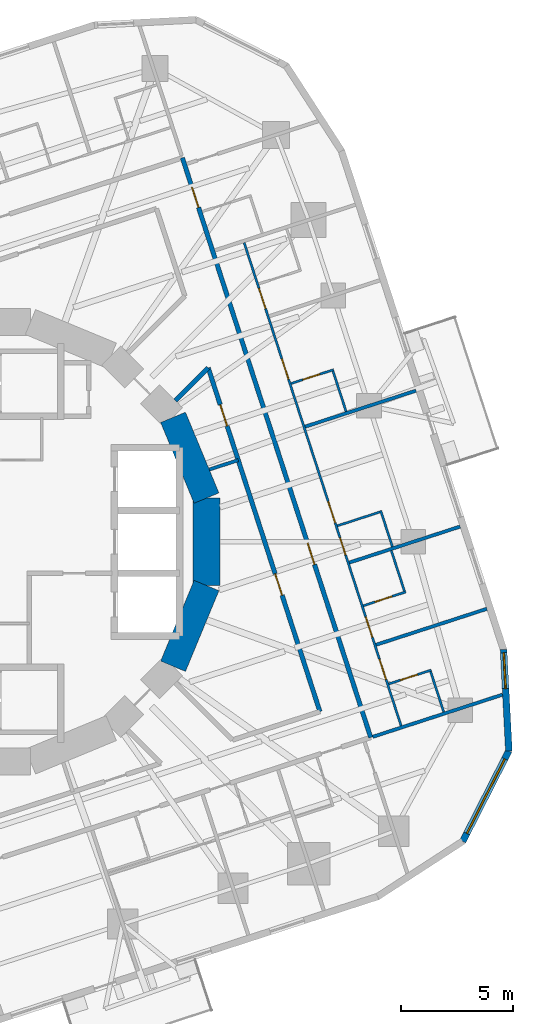
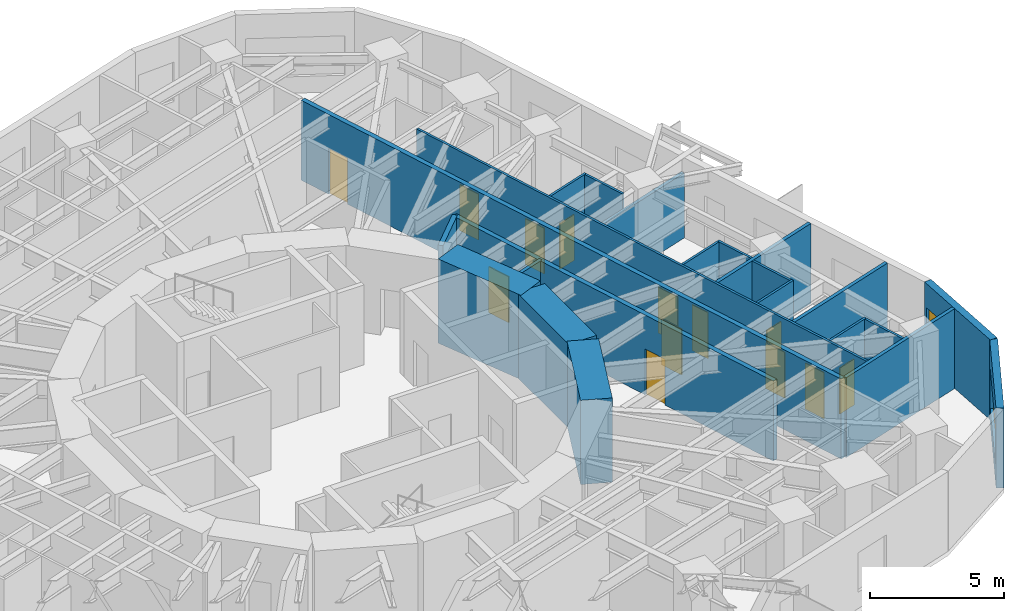
# One storey, part 8 of 13: 22 walls, 13 doors, 2 windows, 15 openings.
"""IFC4 building model written with IfcOpenShell, lengths in metres."""

from ifc_helpers import new_model, si_unit, direction, frame, frame_2d, origin, place, context, subcontext, project, spatial, rectangle, extrude, material, layer, layer_set, type_object, element, fill, save


model = new_model("IFC4")

# Units and contexts
model_context = context("Model", 3, precision=1e-05, world=origin(), true_north=direction((0.0, 1.0)))
body_context = subcontext(model_context, "Body", "Model", "MODEL_VIEW")
ifc_project = project(units=[si_unit("LENGTHUNIT", "METRE"), si_unit("AREAUNIT", "SQUARE_METRE"), si_unit("VOLUMEUNIT", "CUBIC_METRE"), si_unit("PLANEANGLEUNIT", "RADIAN"), si_unit("MASSUNIT", "GRAM", prefix="KILO")], contexts=[model_context])

# Site, building, storey
site_placement = place(None, origin())
site = spatial("IfcSite", under=ifc_project, at=site_placement, CompositionType="ELEMENT")
building_placement = place(site_placement, origin())
building = spatial("IfcBuilding", under=site, at=building_placement, Name="Nakasero Lantern House", CompositionType="ELEMENT")
storey_placement = place(building_placement, frame((0.0, 0.0, 161.050048828125)))
storey = spatial("IfcBuildingStorey", under=building, at=storey_placement, Name="L39", CompositionType="ELEMENT", Elevation=161.050048828125)

# Wall, openings, doors
ifc_material_1 = material(Name="Blockwork", Category="masonry")
ifc_layer_1 = layer(ifc_material_1, 0.10009765625)
ifc_layer_set_1 = layer_set([ifc_layer_1], Name="Cluster hall wall 100")
wall_type_1 = type_object("IfcWallType", Name="Cluster hall wall 100", PredefinedType="PARTITIONING", material=ifc_layer_set_1)
wall_1_placement = place(storey_placement, frame((18.492919921875, -8.21240234375, 0.0), z_axis=(0.0, 0.0, 1.0), x_axis=(-0.309014729931, 0.951057252055, 0.0)))
wall_1 = element("IfcWall", 1, at=wall_1_placement, inside=storey, type_object=wall_type_1, Name="Cluster hall wall L39 HW0-0", PredefinedType="PARTITIONING", context=body_context, shape_type="SweptSolid", body=[
    extrude(rectangle(XDim=22.67236328125, YDim=0.10009765625, at=frame_2d((11.336181640625, 0.0))), origin(), (0.0, 0.0, 1.0), 3.64990234375),
])
opening_1_placement = place(wall_1_placement, frame((9.532958984375, 0.0, 0.0)))
opening_1 = element("IfcOpeningElement", 2, at=opening_1_placement, cuts=wall_1, Name="Opening D03", PredefinedType="OPENING", context=body_context, shape_type="SweptSolid", body=[
    extrude(rectangle(XDim=1.0, YDim=2.10009765625, at=frame_2d((0.5, 1.050048828125))), frame((0.0, 0.070068359375, 0.0), z_axis=(0.0, -1.0, 0.0), x_axis=(1.0, 0.0, 0.0)), (0.0, 0.0, 1.0), 0.14013671875),
])
opening_2_placement = place(wall_1_placement, frame((8.01904296875, 0.0, 0.0)))
opening_2 = element("IfcOpeningElement", 3, at=opening_2_placement, cuts=wall_1, Name="Opening D02", PredefinedType="OPENING", context=body_context, shape_type="SweptSolid", body=[
    extrude(rectangle(XDim=0.800048828125, YDim=2.10009765625, at=frame_2d((0.39990234375, 1.050048828125))), frame((0.0, 0.070068359375, 0.0), z_axis=(0.0, -1.0, 0.0), x_axis=(1.0, 0.0, 0.0)), (0.0, 0.0, 1.0), 0.14013671875),
])
opening_3_placement = place(wall_1_placement, frame((2.175048828125, 0.0, 0.0)))
opening_3 = element("IfcOpeningElement", 4, at=opening_3_placement, cuts=wall_1, Name="Opening D01", PredefinedType="OPENING", context=body_context, shape_type="SweptSolid", body=[
    extrude(rectangle(XDim=0.949951171875, YDim=2.10009765625, at=frame_2d((0.47509765625, 1.050048828125))), frame((0.0, 0.070068359375, 0.0), z_axis=(0.0, -1.0, 0.0), x_axis=(1.0, 0.0, 0.0)), (0.0, 0.0, 1.0), 0.14013671875),
])
opening_4_placement = place(wall_1_placement, frame((4.159423828125, 0.0, 0.0)))
opening_4 = element("IfcOpeningElement", 5, at=opening_4_placement, cuts=wall_1, Name="Opening D01", PredefinedType="OPENING", context=body_context, shape_type="SweptSolid", body=[
    extrude(rectangle(XDim=0.949951171875, YDim=2.10009765625, at=frame_2d((0.47509765625, 1.050048828125))), frame((0.0, 0.070068359375, 0.0), z_axis=(0.0, -1.0, 0.0), x_axis=(1.0, 0.0, 0.0)), (0.0, 0.0, 1.0), 0.14013671875),
])
opening_5_placement = place(wall_1_placement, frame((16.27197265625, 0.0, 0.0)))
opening_5 = element("IfcOpeningElement", 6, at=opening_5_placement, cuts=wall_1, Name="Opening D01", PredefinedType="OPENING", context=body_context, shape_type="SweptSolid", body=[
    extrude(rectangle(XDim=0.949951171875, YDim=2.10009765625, at=frame_2d((0.47509765625, 1.050048828125))), frame((0.0, 0.070068359375, 0.0), z_axis=(0.0, -1.0, 0.0), x_axis=(1.0, 0.0, 0.0)), (0.0, 0.0, 1.0), 0.14013671875),
])
opening_6_placement = place(wall_1_placement, frame((19.578125, 0.0, 0.0)))
opening_6 = element("IfcOpeningElement", 7, at=opening_6_placement, cuts=wall_1, Name="Opening D01", PredefinedType="OPENING", context=body_context, shape_type="SweptSolid", body=[
    extrude(rectangle(XDim=0.949951171875, YDim=2.10009765625, at=frame_2d((0.47509765625, 1.050048828125))), frame((0.0, 0.070068359375, 0.0), z_axis=(0.0, -1.0, 0.0), x_axis=(1.0, 0.0, 0.0)), (0.0, 0.0, 1.0), 0.14013671875),
])
ifc_material_2 = material(Name="Timber C24", Category="wood")
door_type_1 = type_object("IfcDoorType", Name="Bedroom door FD30S 950", OperationType="SINGLE_SWING_LEFT", PredefinedType="DOOR", material=ifc_material_2)
door_1_placement = place(opening_3_placement, origin())
door_1 = element("IfcDoor", 8, at=door_1_placement, inside=storey, type_object=door_type_1, Name="Door L39 D0-00", OperationType="SINGLE_SWING_LEFT", OverallHeight=2.10009765625, OverallWidth=0.949951171875, PredefinedType="DOOR", context=body_context, shape_type="SweptSolid", body=[
    extrude(rectangle(XDim=0.949951171875, YDim=2.10009765625, at=frame_2d((0.47509765625, 1.050048828125))), frame((0.0, 0.02490234375, 0.0), z_axis=(0.0, -1.0, 0.0), x_axis=(1.0, 0.0, 0.0)), (0.0, 0.0, 1.0), 0.050048828125),
])
fill(opening_3, door_1)
door_2_placement = place(opening_4_placement, origin())
door_2 = element("IfcDoor", 9, at=door_2_placement, inside=storey, type_object=door_type_1, Name="Door L39 D0-01", OperationType="SINGLE_SWING_LEFT", OverallHeight=2.10009765625, OverallWidth=0.949951171875, PredefinedType="DOOR", context=body_context, shape_type="SweptSolid", body=[
    extrude(rectangle(XDim=0.949951171875, YDim=2.10009765625, at=frame_2d((0.47509765625, 1.050048828125))), frame((0.0, 0.02490234375, 0.0), z_axis=(0.0, -1.0, 0.0), x_axis=(1.0, 0.0, 0.0)), (0.0, 0.0, 1.0), 0.050048828125),
])
fill(opening_4, door_2)
door_3_placement = place(opening_5_placement, origin())
door_3 = element("IfcDoor", 10, at=door_3_placement, inside=storey, type_object=door_type_1, Name="Door L39 D0-04", OperationType="SINGLE_SWING_RIGHT", OverallHeight=2.10009765625, OverallWidth=0.949951171875, PredefinedType="DOOR", context=body_context, shape_type="SweptSolid", body=[
    extrude(rectangle(XDim=0.949951171875, YDim=2.10009765625, at=frame_2d((0.47509765625, 1.050048828125))), frame((0.0, 0.02490234375, 0.0), z_axis=(0.0, -1.0, 0.0), x_axis=(1.0, 0.0, 0.0)), (0.0, 0.0, 1.0), 0.050048828125),
])
fill(opening_5, door_3)
door_4_placement = place(opening_6_placement, origin())
door_4 = element("IfcDoor", 11, at=door_4_placement, inside=storey, type_object=door_type_1, Name="Door L39 D0-05", OperationType="SINGLE_SWING_RIGHT", OverallHeight=2.10009765625, OverallWidth=0.949951171875, PredefinedType="DOOR", context=body_context, shape_type="SweptSolid", body=[
    extrude(rectangle(XDim=0.949951171875, YDim=2.10009765625, at=frame_2d((0.47509765625, 1.050048828125))), frame((0.0, 0.02490234375, 0.0), z_axis=(0.0, -1.0, 0.0), x_axis=(1.0, 0.0, 0.0)), (0.0, 0.0, 1.0), 0.050048828125),
])
fill(opening_6, door_4)
ifc_material_3 = material(Name="Timber C24", Category="wood")
door_type_2 = type_object("IfcDoorType", Name="En-suite door 800", OperationType="SINGLE_SWING_RIGHT", PredefinedType="DOOR", material=ifc_material_3)
door_5_placement = place(opening_2_placement, origin())
door_5 = element("IfcDoor", 12, at=door_5_placement, inside=storey, type_object=door_type_2, Name="Door L39 DSH0-0", OperationType="SINGLE_SWING_LEFT", OverallHeight=2.10009765625, OverallWidth=0.800048828125, PredefinedType="DOOR", context=body_context, shape_type="SweptSolid", body=[
    extrude(rectangle(XDim=0.800048828125, YDim=2.10009765625, at=frame_2d((0.39990234375, 1.050048828125))), frame((0.0, 0.02490234375, 0.0), z_axis=(0.0, -1.0, 0.0), x_axis=(1.0, 0.0, 0.0)), (0.0, 0.0, 1.0), 0.050048828125),
])
fill(opening_2, door_5)
ifc_material_4 = material(Name="Timber C24", Category="wood")
door_type_3 = type_object("IfcDoorType", Name="Lounge door FD30S 1000", OperationType="SINGLE_SWING_LEFT", PredefinedType="DOOR", material=ifc_material_4)
door_6_placement = place(opening_1_placement, origin())
door_6 = element("IfcDoor", 13, at=door_6_placement, inside=storey, type_object=door_type_3, Name="Door L39 DH0-0", OperationType="SINGLE_SWING_LEFT", OverallHeight=2.10009765625, OverallWidth=1.0, PredefinedType="DOOR", context=body_context, shape_type="SweptSolid", body=[
    extrude(rectangle(XDim=1.0, YDim=2.10009765625, at=frame_2d((0.5, 1.050048828125))), frame((0.0, 0.02490234375, 0.0), z_axis=(0.0, -1.0, 0.0), x_axis=(1.0, 0.0, 0.0)), (0.0, 0.0, 1.0), 0.050048828125),
])
fill(opening_1, door_6)

# Walls
ifc_material_5 = material(Name="Concrete C50/60", Category="concrete")
ifc_layer_2 = layer(ifc_material_5, 1.199951171875)
ifc_layer_set_2 = layer_set([ifc_layer_2], Name="Core wall 1200")
wall_type_2 = type_object("IfcWallType", Name="Core wall 1200", PredefinedType="SHEAR", material=ifc_layer_set_2)
for number, where, z_axis, x_axis, name in (
    (14, (9.807861328125, 1.950927734375, 0.0), (0.0, 0.0, 1.0), (-0.382690736062, 0.923876507187, 0.0), "Core wall L39 facet 1"),
    (15, (8.314697265625, -5.5556640625, 0.0), (0.0, 0.0, 1.0), (0.382690736062, 0.923876507187, 0.0), "Core wall L39 facet 15"),
    (16, (9.807861328125, -1.950927734375, 0.0), (0.0, 0.0, 1.0), (0.0, 1.0, 0.0), "Core wall L39 facet 16"),
):
    element("IfcWall", number, at=place(storey_placement, frame(where, z_axis=z_axis, x_axis=x_axis)), inside=storey, type_object=wall_type_2, Name=name, PredefinedType="SHEAR", context=body_context, shape_type="SweptSolid", body=[
        extrude(rectangle(XDim=3.90185546875, YDim=1.199951171875, at=frame_2d((1.950927734375, 0.0))), origin(), (0.0, 0.0, 1.0), 3.849853515625),
    ])

# Wall, openings, doors
ifc_material_6 = material(Name="Blockwork", Category="masonry")
ifc_layer_3 = layer(ifc_material_6, 0.199951171875)
ifc_layer_set_3 = layer_set([ifc_layer_3], Name="Corridor wall 200")
wall_type_3 = type_object("IfcWallType", Name="Corridor wall 200", PredefinedType="PARTITIONING", material=ifc_layer_set_3)
wall_2_placement = place(storey_placement, frame((17.136962890625, -8.731689453125, 0.0), z_axis=(0.0, 0.0, 1.0), x_axis=(-0.309018283835, 0.951056097323, 0.0)))
wall_2 = element("IfcWall", 17, at=wall_2_placement, inside=storey, type_object=wall_type_3, Name="Corridor wall L39 CW0", PredefinedType="PARTITIONING", context=body_context, shape_type="SweptSolid", body=[
    extrude(rectangle(XDim=27.199951171875, YDim=0.199951171875, at=frame_2d((13.60009765625, 0.0))), origin(), (0.0, 0.0, 1.0), 3.64990234375),
])
opening_7_placement = place(wall_2_placement, frame((8.118896484375, 0.0, 0.0)))
opening_7 = element("IfcOpeningElement", 18, at=opening_7_placement, cuts=wall_2, Name="Opening D14", PredefinedType="OPENING", context=body_context, shape_type="SweptSolid", body=[
    extrude(rectangle(XDim=1.0, YDim=2.10009765625, at=frame_2d((0.5, 1.050048828125))), frame((0.0, 0.119873046875, 0.0), z_axis=(0.0, -1.0, 0.0), x_axis=(1.0, 0.0, 0.0)), (0.0, 0.0, 1.0), 0.239990234375),
])
opening_8_placement = place(wall_2_placement, frame((24.872314453125, 0.0, 0.0)))
opening_8 = element("IfcOpeningElement", 19, at=opening_8_placement, cuts=wall_2, Name="Opening D01", PredefinedType="OPENING", context=body_context, shape_type="SweptSolid", body=[
    extrude(rectangle(XDim=0.949951171875, YDim=2.10009765625, at=frame_2d((0.47509765625, 1.050048828125))), frame((0.0, 0.119873046875, 0.0), z_axis=(0.0, -1.0, 0.0), x_axis=(1.0, 0.0, 0.0)), (0.0, 0.0, 1.0), 0.239990234375),
])
door_7_placement = place(opening_8_placement, origin())
door_7 = element("IfcDoor", 20, at=door_7_placement, inside=storey, type_object=door_type_1, Name="Door L39 D0-06", OperationType="SINGLE_SWING_RIGHT", OverallHeight=2.10009765625, OverallWidth=0.949951171875, PredefinedType="DOOR", context=body_context, shape_type="SweptSolid", body=[
    extrude(rectangle(XDim=0.949951171875, YDim=2.10009765625, at=frame_2d((0.47509765625, 1.050048828125))), frame((0.0, 0.02490234375, 0.0), z_axis=(0.0, -1.0, 0.0), x_axis=(1.0, 0.0, 0.0)), (0.0, 0.0, 1.0), 0.050048828125),
])
fill(opening_8, door_7)
ifc_material_7 = material(Name="Timber C24", Category="wood")
door_type_4 = type_object("IfcDoorType", Name="Cluster entrance door FD30S 1000", OperationType="SINGLE_SWING_LEFT", PredefinedType="DOOR", material=ifc_material_7)
door_8_placement = place(opening_7_placement, origin())
door_8 = element("IfcDoor", 21, at=door_8_placement, inside=storey, type_object=door_type_4, Name="Door L39 DF0-0", OperationType="SINGLE_SWING_LEFT", OverallHeight=2.10009765625, OverallWidth=1.0, PredefinedType="DOOR", context=body_context, shape_type="SweptSolid", body=[
    extrude(rectangle(XDim=1.0, YDim=2.10009765625, at=frame_2d((0.5, 1.050048828125))), frame((0.0, 0.02490234375, 0.0), z_axis=(0.0, -1.0, 0.0), x_axis=(1.0, 0.0, 0.0)), (0.0, 0.0, 1.0), 0.050048828125),
])
fill(opening_7, door_8)

wall_3_placement = place(storey_placement, frame((14.868896484375, -7.576171875, 0.0), z_axis=(0.0, 0.0, 1.0), x_axis=(-0.309016591385, 0.951056647235, 0.0)))
wall_3 = element("IfcWall", 22, at=wall_3_placement, inside=storey, type_object=wall_type_3, Name="Corridor wall L39 IW0-0", PredefinedType="PARTITIONING", context=body_context, shape_type="SweptSolid", body=[
    extrude(rectangle(XDim=16.12890625, YDim=0.199951171875, at=frame_2d((8.064453125, 0.0))), origin(), (0.0, 0.0, 1.0), 3.64990234375),
])
opening_9_placement = place(wall_3_placement, frame((5.46240234375, 0.0, 0.0)))
opening_9 = element("IfcOpeningElement", 23, at=opening_9_placement, cuts=wall_3, Name="Opening D07", PredefinedType="OPENING", context=body_context, shape_type="SweptSolid", body=[
    extrude(rectangle(XDim=1.0, YDim=2.10009765625, at=frame_2d((0.5, 1.050048828125))), frame((0.0, 0.119873046875, 0.0), z_axis=(0.0, -1.0, 0.0), x_axis=(1.0, 0.0, 0.0)), (0.0, 0.0, 1.0), 0.239990234375),
])
opening_10_placement = place(wall_3_placement, frame((13.40185546875, 0.0, 0.0)))
opening_10 = element("IfcOpeningElement", 24, at=opening_10_placement, cuts=wall_3, Name="Opening D07", PredefinedType="OPENING", context=body_context, shape_type="SweptSolid", body=[
    extrude(rectangle(XDim=1.0, YDim=2.10009765625, at=frame_2d((0.5, 1.050048828125))), frame((0.0, 0.119873046875, 0.0), z_axis=(0.0, -1.0, 0.0), x_axis=(1.0, 0.0, 0.0)), (0.0, 0.0, 1.0), 0.239990234375),
])
ifc_material_8 = material(Name="Timber C24", Category="wood")
door_type_5 = type_object("IfcDoorType", Name="Room door FD30S 1000", OperationType="SINGLE_SWING_LEFT", PredefinedType="DOOR", material=ifc_material_8)
door_9_placement = place(opening_9_placement, origin())
door_9 = element("IfcDoor", 25, at=door_9_placement, inside=storey, type_object=door_type_5, Name="Door L39 DI4", OperationType="SINGLE_SWING_LEFT", OverallHeight=2.10009765625, OverallWidth=1.0, PredefinedType="DOOR", context=body_context, shape_type="SweptSolid", body=[
    extrude(rectangle(XDim=1.0, YDim=2.10009765625, at=frame_2d((0.5, 1.050048828125))), frame((0.0, 0.02490234375, 0.0), z_axis=(0.0, -1.0, 0.0), x_axis=(1.0, 0.0, 0.0)), (0.0, 0.0, 1.0), 0.050048828125),
])
fill(opening_9, door_9)
door_10_placement = place(opening_10_placement, origin())
door_10 = element("IfcDoor", 26, at=door_10_placement, inside=storey, type_object=door_type_5, Name="Door L39 DI5", OperationType="SINGLE_SWING_RIGHT", OverallHeight=2.10009765625, OverallWidth=1.0, PredefinedType="DOOR", context=body_context, shape_type="SweptSolid", body=[
    extrude(rectangle(XDim=1.0, YDim=2.10009765625, at=frame_2d((0.5, 1.050048828125))), frame((0.0, 0.02490234375, 0.0), z_axis=(0.0, -1.0, 0.0), x_axis=(1.0, 0.0, 0.0)), (0.0, 0.0, 1.0), 0.050048828125),
])
fill(opening_10, door_10)

# Walls
wall_4_placement = place(storey_placement, frame((8.420166015625, 6.298828125, 0.0), z_axis=(0.0, 0.0, 1.0), x_axis=(0.707106781187, 0.707106781187, 0.0)))
element("IfcWall", 27, at=wall_4_placement, inside=storey, type_object=wall_type_3, Name="Corridor wall L39 PS02b", PredefinedType="PARTITIONING", context=body_context, shape_type="SweptSolid", body=[
    extrude(rectangle(XDim=2.0712890625, YDim=0.199951171875, at=frame_2d((1.03564453125, 0.0))), origin(), (0.0, 0.0, 1.0), 3.64990234375),
])
ifc_material_9 = material(Name="Blockwork", Category="masonry")
ifc_layer_4 = layer(ifc_material_9, 0.10009765625)
ifc_layer_set_4 = layer_set([ifc_layer_4], Name="En-suite wall 100")
wall_type_4 = type_object("IfcWallType", Name="En-suite wall 100", PredefinedType="PARTITIONING", material=ifc_layer_set_4)
wall_5_placement = place(storey_placement, frame((15.645263671875, 0.713623046875, 0.0), z_axis=(0.0, 0.0, 1.0), x_axis=(0.951062257173, 0.308999325213, 0.0)))
element("IfcWall", 28, at=wall_5_placement, inside=storey, type_object=wall_type_4, Name="En-suite wall L39 SS0-0", PredefinedType="PARTITIONING", context=body_context, shape_type="SweptSolid", body=[
    extrude(rectangle(XDim=2.10009765625, YDim=0.10009765625, at=frame_2d((1.050048828125, 0.0))), origin(), (0.0, 0.0, 1.0), 3.64990234375),
])
wall_6_placement = place(storey_placement, frame((18.104736328125, -0.22216796875, 0.0), z_axis=(0.0, 0.0, 1.0), x_axis=(-0.309066587596, 0.951040401051, 0.0)))
element("IfcWall", 29, at=wall_6_placement, inside=storey, type_object=wall_type_4, Name="En-suite wall L39 SE0-0", PredefinedType="PARTITIONING", context=body_context, shape_type="SweptSolid", body=[
    extrude(rectangle(XDim=1.699951171875, YDim=0.10009765625, at=frame_2d((0.85009765625, 0.0))), origin(), (0.0, 0.0, 1.0), 3.64990234375),
])

# Wall, opening, door
wall_7_placement = place(storey_placement, frame((17.937744140625, -6.34228515625, 0.0), z_axis=(0.0, 0.0, 1.0), x_axis=(0.951072636193, 0.308967378027, 0.0)))
wall_7 = element("IfcWall", 30, at=wall_7_placement, inside=storey, type_object=wall_type_4, Name="En-suite wall L39 ES0-00", PredefinedType="PARTITIONING", context=body_context, shape_type="SweptSolid", body=[
    extrude(rectangle(XDim=2.0, YDim=0.10009765625, at=frame_2d((1.0, 0.0))), origin(), (0.0, 0.0, 1.0), 3.64990234375),
])
opening_11_placement = place(wall_7_placement, frame((0.550048828125, 0.0, 0.0)))
opening_11 = element("IfcOpeningElement", 31, at=opening_11_placement, cuts=wall_7, Name="Opening D02", PredefinedType="OPENING", context=body_context, shape_type="SweptSolid", body=[
    extrude(rectangle(XDim=0.800048828125, YDim=2.10009765625, at=frame_2d((0.39990234375, 1.050048828125))), frame((0.0, 0.070068359375, 0.0), z_axis=(0.0, -1.0, 0.0), x_axis=(1.0, 0.0, 0.0)), (0.0, 0.0, 1.0), 0.14013671875),
])
door_11_placement = place(opening_11_placement, origin())
door_11 = element("IfcDoor", 32, at=door_11_placement, inside=storey, type_object=door_type_2, Name="Door L39 DE0-00", OperationType="SINGLE_SWING_LEFT", OverallHeight=2.10009765625, OverallWidth=0.800048828125, PredefinedType="DOOR", context=body_context, shape_type="SweptSolid", body=[
    extrude(rectangle(XDim=0.800048828125, YDim=2.10009765625, at=frame_2d((0.39990234375, 1.050048828125))), frame((0.0, 0.02490234375, 0.0), z_axis=(0.0, -1.0, 0.0), x_axis=(1.0, 0.0, 0.0)), (0.0, 0.0, 1.0), 0.050048828125),
])
fill(opening_11, door_11)

# Wall
wall_8_placement = place(storey_placement, frame((20.39501953125, -7.59423828125, 0.0), z_axis=(0.0, 0.0, 1.0), x_axis=(-0.309048298632, 0.951046344356, 0.0)))
element("IfcWall", 33, at=wall_8_placement, inside=storey, type_object=wall_type_4, Name="En-suite wall L39 EE0-00", PredefinedType="PARTITIONING", context=body_context, shape_type="SweptSolid", body=[
    extrude(rectangle(XDim=1.89990234375, YDim=0.10009765625, at=frame_2d((0.949951171875, 0.0))), origin(), (0.0, 0.0, 1.0), 3.64990234375),
])

# Wall, opening, door
wall_9_placement = place(storey_placement, frame((16.803955078125, -2.85302734375, 0.0), z_axis=(0.0, 0.0, 1.0), x_axis=(0.951036759863, 0.309077791808, 0.0)))
wall_9 = element("IfcWall", 34, at=wall_9_placement, inside=storey, type_object=wall_type_4, Name="En-suite wall L39 ES0-01", PredefinedType="PARTITIONING", context=body_context, shape_type="SweptSolid", body=[
    extrude(rectangle(XDim=2.0, YDim=0.10009765625, at=frame_2d((1.0, 0.0))), origin(), (0.0, 0.0, 1.0), 3.64990234375),
])
opening_12_placement = place(wall_9_placement, frame((0.550048828125, 0.0, 0.0)))
opening_12 = element("IfcOpeningElement", 35, at=opening_12_placement, cuts=wall_9, Name="Opening D02", PredefinedType="OPENING", context=body_context, shape_type="SweptSolid", body=[
    extrude(rectangle(XDim=0.800048828125, YDim=2.10009765625, at=frame_2d((0.39990234375, 1.050048828125))), frame((0.0, 0.070068359375, 0.0), z_axis=(0.0, -1.0, 0.0), x_axis=(1.0, 0.0, 0.0)), (0.0, 0.0, 1.0), 0.14013671875),
])
door_12_placement = place(opening_12_placement, origin())
door_12 = element("IfcDoor", 36, at=door_12_placement, inside=storey, type_object=door_type_2, Name="Door L39 DE0-01", OperationType="SINGLE_SWING_LEFT", OverallHeight=2.10009765625, OverallWidth=0.800048828125, PredefinedType="DOOR", context=body_context, shape_type="SweptSolid", body=[
    extrude(rectangle(XDim=0.800048828125, YDim=2.10009765625, at=frame_2d((0.39990234375, 1.050048828125))), frame((0.0, 0.02490234375, 0.0), z_axis=(0.0, -1.0, 0.0), x_axis=(1.0, 0.0, 0.0)), (0.0, 0.0, 1.0), 0.050048828125),
])
fill(opening_12, door_12)

# Wall
wall_10_placement = place(storey_placement, frame((18.64306640625, -2.202880859375, 0.0), z_axis=(0.0, 0.0, 1.0), x_axis=(-0.308894308917, 0.951096370469, 0.0)))
element("IfcWall", 37, at=wall_10_placement, inside=storey, type_object=wall_type_4, Name="En-suite wall L39 EE0-01", PredefinedType="PARTITIONING", context=body_context, shape_type="SweptSolid", body=[
    extrude(rectangle(XDim=1.900146484375, YDim=0.10009765625, at=frame_2d((0.9501953125, 0.0))), origin(), (0.0, 0.0, 1.0), 3.64990234375),
])

# Wall, opening, door
wall_11_placement = place(storey_placement, frame((13.58154296875, 7.064697265625, 0.0), z_axis=(0.0, 0.0, 1.0), x_axis=(0.951036759863, 0.309077791808, 0.0)))
wall_11 = element("IfcWall", 38, at=wall_11_placement, inside=storey, type_object=wall_type_4, Name="En-suite wall L39 ES0-04", PredefinedType="PARTITIONING", context=body_context, shape_type="SweptSolid", body=[
    extrude(rectangle(XDim=2.0, YDim=0.10009765625, at=frame_2d((1.0, 0.0))), origin(), (0.0, 0.0, 1.0), 3.64990234375),
])
opening_13_placement = place(wall_11_placement, frame((0.550048828125, 0.0, 0.0)))
opening_13 = element("IfcOpeningElement", 39, at=opening_13_placement, cuts=wall_11, Name="Opening D02", PredefinedType="OPENING", context=body_context, shape_type="SweptSolid", body=[
    extrude(rectangle(XDim=0.800048828125, YDim=2.10009765625, at=frame_2d((0.39990234375, 1.050048828125))), frame((0.0, 0.070068359375, 0.0), z_axis=(0.0, -1.0, 0.0), x_axis=(1.0, 0.0, 0.0)), (0.0, 0.0, 1.0), 0.14013671875),
])
door_13_placement = place(opening_13_placement, origin())
door_13 = element("IfcDoor", 40, at=door_13_placement, inside=storey, type_object=door_type_2, Name="Door L39 DE0-04", OperationType="SINGLE_SWING_LEFT", OverallHeight=2.10009765625, OverallWidth=0.800048828125, PredefinedType="DOOR", context=body_context, shape_type="SweptSolid", body=[
    extrude(rectangle(XDim=0.800048828125, YDim=2.10009765625, at=frame_2d((0.39990234375, 1.050048828125))), frame((0.0, 0.02490234375, 0.0), z_axis=(0.0, -1.0, 0.0), x_axis=(1.0, 0.0, 0.0)), (0.0, 0.0, 1.0), 0.050048828125),
])
fill(opening_13, door_13)

# Wall
wall_12_placement = place(storey_placement, frame((16.038818359375, 5.812744140625, 0.0), z_axis=(0.0, 0.0, 1.0), x_axis=(-0.309010533671, 0.951058615481, 0.0)))
element("IfcWall", 41, at=wall_12_placement, inside=storey, type_object=wall_type_4, Name="En-suite wall L39 EE0-04", PredefinedType="PARTITIONING", context=body_context, shape_type="SweptSolid", body=[
    extrude(rectangle(XDim=1.900146484375, YDim=0.10009765625, at=frame_2d((0.9501953125, 0.0))), origin(), (0.0, 0.0, 1.0), 3.64990234375),
])

# Wall, opening, window
ifc_material_10 = material(Name="Aluminium rainscreen on blockwork", Category="masonry")
ifc_layer_5 = layer(ifc_material_10, 0.300048828125)
ifc_layer_set_5 = layer_set([ifc_layer_5], Name="Facade wall 300")
wall_type_5 = type_object("IfcWallType", Name="Facade wall 300", PredefinedType="SOLIDWALL", material=ifc_layer_set_5)
wall_13_placement = place(storey_placement, frame((21.245361328125, -13.36669921875, 0.0), z_axis=(0.0, 0.0, 1.0), x_axis=(0.454013792196, 0.890994655705, 0.0)))
wall_13 = element("IfcWall", 42, at=wall_13_placement, inside=storey, type_object=wall_type_5, Name="Facade wall L39 FW3C2", PredefinedType="SOLIDWALL", context=body_context, shape_type="SweptSolid", body=[
    extrude(rectangle(XDim=4.529296875, YDim=0.300048828125, at=frame_2d((2.2646484375, 0.0))), origin(), (0.0, 0.0, 1.0), 3.64990234375),
])
opening_14_placement = place(wall_13_placement, frame((0.39990234375, 0.0, 0.75)))
opening_14 = element("IfcOpeningElement", 43, at=opening_14_placement, cuts=wall_13, Name="Opening W237A", PredefinedType="OPENING", context=body_context, shape_type="SweptSolid", body=[
    extrude(rectangle(XDim=3.72900390625, YDim=1.800048828125, at=frame_2d((1.864501953125, 0.89990234375))), frame((0.0, 0.169921875, 0.0), z_axis=(0.0, -1.0, 0.0), x_axis=(1.0, 0.0, 0.0)), (0.0, 0.0, 1.0), 0.340087890625),
])
ifc_material_11 = material(Name="Aluminium 6063-T6 and glass", Category="aluminium")
window_type_1 = type_object("IfcWindowType", Name="Corner window 3729x1800", PartitioningType="SINGLE_PANEL", PredefinedType="WINDOW", material=ifc_material_11)
window_1_placement = place(opening_14_placement, origin())
window_1 = element("IfcWindow", 44, at=window_1_placement, inside=storey, type_object=window_type_1, Name="Window L39 WC3", OverallHeight=1.800048828125, OverallWidth=3.72900390625, PartitioningType="SINGLE_PANEL", PredefinedType="WINDOW", context=body_context, shape_type="SweptSolid", body=[
    extrude(rectangle(XDim=3.72900390625, YDim=1.800048828125, at=frame_2d((1.864501953125, 0.89990234375))), frame((0.0, 0.030029296875, 0.0), z_axis=(0.0, -1.0, 0.0), x_axis=(1.0, 0.0, 0.0)), (0.0, 0.0, 1.0), 0.06005859375),
])
fill(opening_14, window_1)

wall_14_placement = place(storey_placement, frame((23.3017578125, -9.3310546875, 0.0), z_axis=(0.0, 0.0, 1.0), x_axis=(-0.052338164079, 0.998629419044, 0.0)))
wall_14 = element("IfcWall", 45, at=wall_14_placement, inside=storey, type_object=wall_type_5, Name="Facade wall L39 FW3C3", PredefinedType="SOLIDWALL", context=body_context, shape_type="SweptSolid", body=[
    extrude(rectangle(XDim=4.529296875, YDim=0.300048828125, at=frame_2d((2.2646484375, 0.0))), origin(), (0.0, 0.0, 1.0), 3.64990234375),
])
opening_15_placement = place(wall_14_placement, frame((2.784912109375, 0.0, 0.75)))
opening_15 = element("IfcOpeningElement", 46, at=opening_15_placement, cuts=wall_14, Name="Opening W01", PredefinedType="OPENING", context=body_context, shape_type="SweptSolid", body=[
    extrude(rectangle(XDim=1.60009765625, YDim=1.800048828125, at=frame_2d((0.800048828125, 0.89990234375))), frame((0.0, 0.169921875, 0.0), z_axis=(0.0, -1.0, 0.0), x_axis=(1.0, 0.0, 0.0)), (0.0, 0.0, 1.0), 0.340087890625),
])
ifc_material_12 = material(Name="Aluminium 6063-T6 and glass", Category="aluminium")
window_type_2 = type_object("IfcWindowType", Name="Bedroom window 1600x1800", PartitioningType="SINGLE_PANEL", PredefinedType="WINDOW", material=ifc_material_12)
window_2_placement = place(opening_15_placement, origin())
window_2 = element("IfcWindow", 47, at=window_2_placement, inside=storey, type_object=window_type_2, Name="Window L39 WN0-00", OverallHeight=1.800048828125, OverallWidth=1.60009765625, PartitioningType="SINGLE_PANEL", PredefinedType="WINDOW", context=body_context, shape_type="SweptSolid", body=[
    extrude(rectangle(XDim=1.60009765625, YDim=1.800048828125, at=frame_2d((0.800048828125, 0.89990234375))), frame((0.0, 0.030029296875, 0.0), z_axis=(0.0, -1.0, 0.0), x_axis=(1.0, 0.0, 0.0)), (0.0, 0.0, 1.0), 0.06005859375),
])
fill(opening_15, window_2)

# Walls
ifc_material_13 = material(Name="Blockwork", Category="masonry")
ifc_layer_6 = layer(ifc_material_13, 0.14990234375)
ifc_layer_set_6 = layer_set([ifc_layer_6], Name="Party wall 150")
wall_type_6 = type_object("IfcWallType", Name="Party wall 150", PredefinedType="PARTITIONING", material=ifc_layer_set_6)
wall_15_placement = place(storey_placement, frame((17.232177734375, -8.700927734375, 0.0), z_axis=(0.0, 0.0, 1.0), x_axis=(0.951057081836, 0.309015253813, 0.0)))
element("IfcWall", 48, at=wall_15_placement, inside=storey, type_object=wall_type_6, Name="Party wall L39 PW0-00", PredefinedType="PARTITIONING", context=body_context, shape_type="SweptSolid", body=[
    extrude(rectangle(XDim=6.080322265625, YDim=0.14990234375, at=frame_2d((3.0400390625, 0.0))), origin(), (0.0, 0.0, 1.0), 3.64990234375),
])
for number, where, z_axis, x_axis, name in (
    (49, (17.370849609375, -4.59765625, 0.0), (0.0, 0.0, 1.0), (0.951055112834, 0.309021313752, 0.0), "Party wall L39 PW0-01"),
    (50, (16.17822265625, -0.927001953125, 0.0), (0.0, 0.0, 1.0), (0.951055112834, 0.309021313752, 0.0), "Party wall L39 PW0-02"),
):
    element("IfcWall", number, at=place(storey_placement, frame(where, z_axis=z_axis, x_axis=x_axis)), inside=storey, type_object=wall_type_6, Name=name, PredefinedType="PARTITIONING", context=body_context, shape_type="SweptSolid", body=[
        extrude(rectangle(XDim=5.2001953125, YDim=0.14990234375, at=frame_2d((2.60009765625, 0.0))), origin(), (0.0, 0.0, 1.0), 3.64990234375),
    ])
wall_16_placement = place(storey_placement, frame((14.207275390625, 5.138916015625, 0.0), z_axis=(0.0, 0.0, 1.0), x_axis=(0.951055112834, 0.309021313752, 0.0)))
element("IfcWall", 51, at=wall_16_placement, inside=storey, type_object=wall_type_6, Name="Party wall L39 PW0-04", PredefinedType="PARTITIONING", context=body_context, shape_type="SweptSolid", body=[
    extrude(rectangle(XDim=5.2001953125, YDim=0.14990234375, at=frame_2d((2.60009765625, 0.0))), origin(), (0.0, 0.0, 1.0), 2.966552734375),
])
wall_17_placement = place(storey_placement, frame((11.222412109375, 3.646484375, 0.0), z_axis=(0.0, 0.0, 1.0), x_axis=(-0.951026153486, -0.309110425878, 0.0)))
element("IfcWall", 52, at=wall_17_placement, inside=storey, type_object=wall_type_6, Name="Party wall L39 IM0", PredefinedType="PARTITIONING", context=body_context, shape_type="SweptSolid", body=[
    extrude(rectangle(XDim=1.360107421875, YDim=0.14990234375, at=frame_2d((0.68017578125, 0.0))), origin(), (0.0, 0.0, 1.0), 3.64990234375),
])

save(model, "model.ifc")
